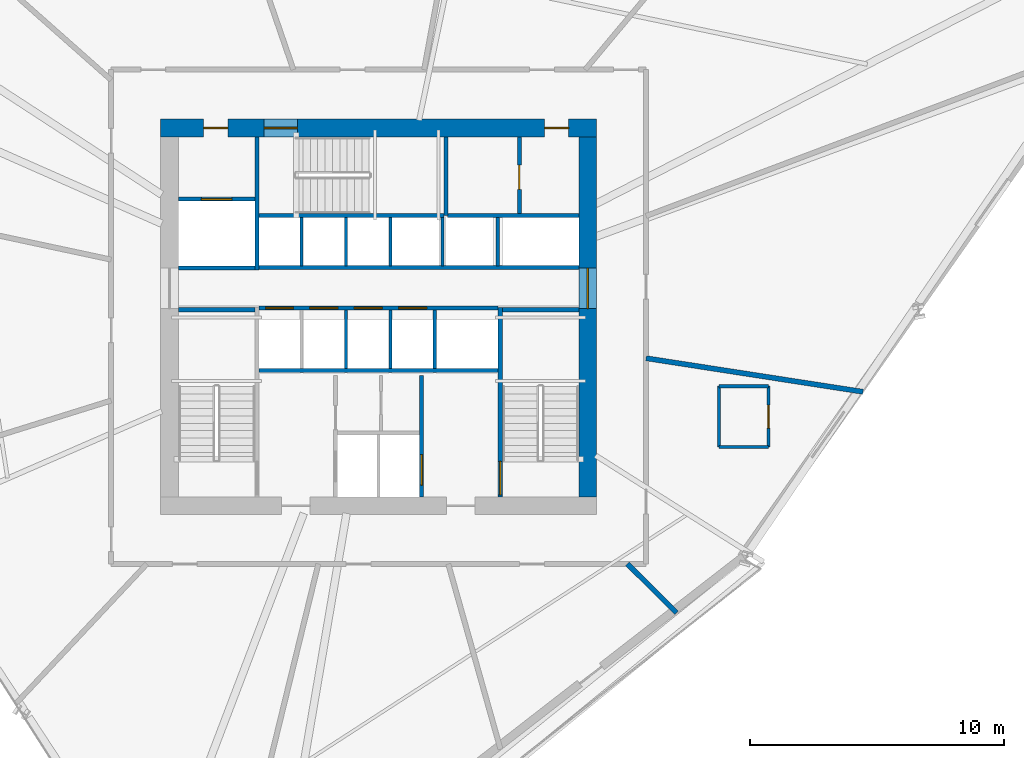
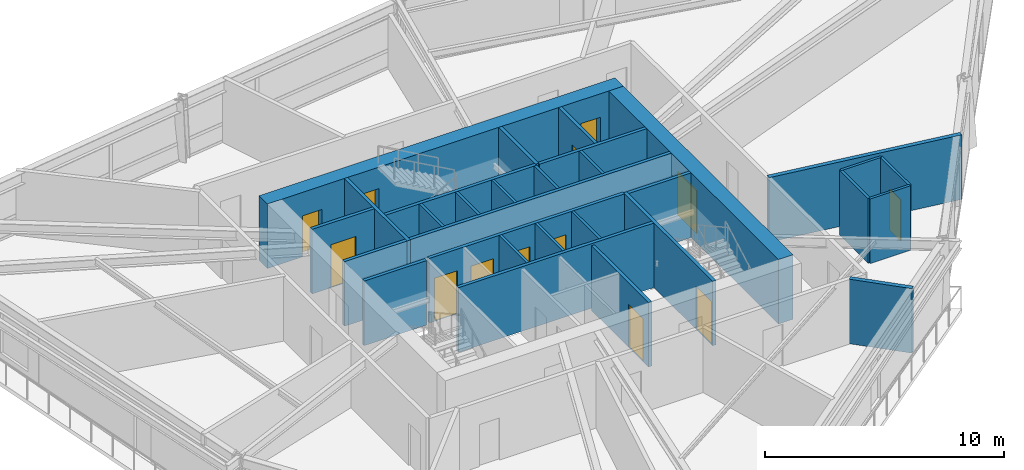
# One storey, part 12 of 16: 30 walls, 13 doors, 13 openings.
"""IFC4 building model written with IfcOpenShell, lengths in metres."""

from ifc_helpers import new_model, si_unit, direction, frame, frame_2d, origin, place, context, subcontext, project, spatial, rectangle, extrude, source, transform, mapped, material, layer, layer_set, type_object, type_shapes, element, fill, save


model = new_model("IFC4")

# Units and contexts
model_context = context("Model", 3, precision=1e-05, world=origin(), true_north=direction((0.0, 1.0)))
body_context = subcontext(model_context, "Body", "Model", "MODEL_VIEW")
ifc_project = project(units=[si_unit("LENGTHUNIT", "METRE"), si_unit("AREAUNIT", "SQUARE_METRE"), si_unit("VOLUMEUNIT", "CUBIC_METRE"), si_unit("PLANEANGLEUNIT", "RADIAN"), si_unit("MASSUNIT", "GRAM", prefix="KILO")], contexts=[model_context])

# Site, building, storey
site_placement = place(None, origin())
site = spatial("IfcSite", under=ifc_project, at=site_placement, CompositionType="ELEMENT")
building_placement = place(site_placement, origin())
building = spatial("IfcBuilding", under=site, at=building_placement, Name="Olszyna Solenne Hotel", CompositionType="ELEMENT")
storey_placement = place(building_placement, frame((0.0, 0.0, 127.0)))
storey = spatial("IfcBuildingStorey", under=building, at=storey_placement, Name="L33", CompositionType="ELEMENT", Elevation=127.0)

# Wall, openings, doors
ifc_material_1 = material(Name="Concrete C60/75", Category="concrete")
ifc_layer_1 = layer(ifc_material_1, 0.699951171875, Name="Concrete C60/75")
ifc_layer_set_1 = layer_set([ifc_layer_1], Name="Concrete C60/75")
wall_type_1 = type_object("IfcWallType", Name="WL-CR700", PredefinedType="SHEAR", material=ifc_layer_set_1)
wall_1_placement = place(storey_placement, frame((29.39990234375, 34.050048828125, 0.0), z_axis=(0.0, 0.0, 1.0), x_axis=(1.0, 0.0, 0.0)))
wall_1 = element("IfcWall", 1, at=wall_1_placement, inside=storey, type_object=wall_type_1, Name="Core shear wall WL-CR700 CRW-L33-N", PredefinedType="SHEAR", context=body_context, shape_type="SweptSolid", body=[
    extrude(rectangle(XDim=17.2001953125, YDim=0.699951171875, at=frame_2d((8.60009765625, 0.0))), origin(), (0.0, 0.0, 1.0), 3.300048828125),
])
opening_1_placement = place(wall_1_placement, frame((1.699951171875, 0.0, 0.0)))
opening_1 = element("IfcOpeningElement", 2, at=opening_1_placement, cuts=wall_1, Name="Opening SVD-L33-01", PredefinedType="OPENING", context=body_context, shape_type="SweptSolid", body=[
    extrude(rectangle(XDim=0.949951171875, YDim=2.10009765625, at=frame_2d((0.47509765625, 1.050048828125))), frame((0.0, 0.35986328125, 0.0), z_axis=(0.0, -1.0, 0.0), x_axis=(1.0, 0.0, 0.0)), (0.0, 0.0, 1.0), 0.719970703125),
])
opening_2_placement = place(wall_1_placement, frame((4.080078125, 0.0, 0.0)))
opening_2 = element("IfcOpeningElement", 3, at=opening_2_placement, cuts=wall_1, Name="Opening STD-L33-03", PredefinedType="OPENING", context=body_context, shape_type="SweptSolid", body=[
    extrude(rectangle(XDim=1.320068359375, YDim=2.199951171875, at=frame_2d((0.66015625, 1.10009765625))), frame((0.0, 0.35986328125, 0.0), z_axis=(0.0, -1.0, 0.0), x_axis=(1.0, 0.0, 0.0)), (0.0, 0.0, 1.0), 0.719970703125),
])
opening_3_placement = place(wall_1_placement, frame((15.14990234375, 0.0, 0.0)))
opening_3 = element("IfcOpeningElement", 4, at=opening_3_placement, cuts=wall_1, Name="Opening SVD-L33-BN", PredefinedType="OPENING", context=body_context, shape_type="SweptSolid", body=[
    extrude(rectangle(XDim=0.949951171875, YDim=2.10009765625, at=frame_2d((0.47509765625, 1.050048828125))), frame((0.0, 0.35986328125, 0.0), z_axis=(0.0, -1.0, 0.0), x_axis=(1.0, 0.0, 0.0)), (0.0, 0.0, 1.0), 0.719970703125),
])
ifc_material_2 = material(Name="Steel S355J2", Category="steel")
door_type_1 = type_object("IfcDoorType", Name="DR-ST1", OperationType="NOTDEFINED", PredefinedType="DOOR", material=ifc_material_2)
shared_shape_1 = source(origin(), body_context, "Body", "SweptSolid", [
    extrude(rectangle(XDim=1.320068359375, YDim=2.199951171875, at=frame_2d((0.66015625, 1.10009765625))), frame((0.0, 0.02490234375, 0.0), z_axis=(0.0, -1.0, 0.0), x_axis=(1.0, 0.0, 0.0)), (0.0, 0.0, 1.0), 0.050048828125),
])
type_shapes(door_type_1, [shared_shape_1])
door_1_placement = place(opening_2_placement, origin())
door_1 = element("IfcDoor", 5, at=door_1_placement, inside=storey, type_object=door_type_1, Name="Pressurised exit stair ST3 fire door STD-L33-03", OperationType="SINGLE_SWING_RIGHT", OverallHeight=2.199951171875, OverallWidth=1.320068359375, PredefinedType="DOOR", context=body_context, shape_type="MappedRepresentation", body=[
    mapped(shared_shape_1, transform((0.0, 0.0, 0.0), x_axis=(1.0, 0.0, 0.0), y_axis=(0.0, 1.0, 0.0), z_axis=(0.0, 0.0, 1.0), scale=1.0)),
])
fill(opening_2, door_1)
door_type_2 = type_object("IfcDoorType", Name="DR-SV1", OperationType="NOTDEFINED", PredefinedType="DOOR", material=ifc_material_2)
shared_shape_2 = source(origin(), body_context, "Body", "SweptSolid", [
    extrude(rectangle(XDim=0.949951171875, YDim=2.10009765625, at=frame_2d((0.47509765625, 1.050048828125))), frame((0.0, 0.02490234375, 0.0), z_axis=(0.0, -1.0, 0.0), x_axis=(1.0, 0.0, 0.0)), (0.0, 0.0, 1.0), 0.050048828125),
])
type_shapes(door_type_2, [shared_shape_2])
door_2_placement = place(opening_1_placement, origin())
door_2 = element("IfcDoor", 6, at=door_2_placement, inside=storey, type_object=door_type_2, Name="Service lift lobby fire door SVD-L33-01", OperationType="SINGLE_SWING_LEFT", OverallHeight=2.10009765625, OverallWidth=0.949951171875, PredefinedType="DOOR", context=body_context, shape_type="MappedRepresentation", body=[
    mapped(shared_shape_2, transform((0.0, 0.0, 0.0), x_axis=(1.0, 0.0, 0.0), y_axis=(0.0, 1.0, 0.0), z_axis=(0.0, 0.0, 1.0), scale=1.0)),
])
fill(opening_1, door_2)
door_3_placement = place(opening_3_placement, origin())
door_3 = element("IfcDoor", 7, at=door_3_placement, inside=storey, type_object=door_type_2, Name="Housekeeping core fire door SVD-L33-BN", OperationType="SINGLE_SWING_LEFT", OverallHeight=2.10009765625, OverallWidth=0.949951171875, PredefinedType="DOOR", context=body_context, shape_type="MappedRepresentation", body=[
    mapped(shared_shape_2, transform((0.0, 0.0, 0.0), x_axis=(1.0, 0.0, 0.0), y_axis=(0.0, 1.0, 0.0), z_axis=(0.0, 0.0, 1.0), scale=1.0)),
])
fill(opening_3, door_3)

# Wall, opening, door
wall_2_placement = place(storey_placement, frame((46.25, 33.699951171875, 0.0), z_axis=(0.0, 0.0, 1.0), x_axis=(0.0, -1.0, 0.0)))
wall_2 = element("IfcWall", 8, at=wall_2_placement, inside=storey, type_object=wall_type_1, Name="Core shear wall WL-CR700 CRW-L33-E", PredefinedType="SHEAR", context=body_context, shape_type="SweptSolid", body=[
    extrude(rectangle(XDim=14.199951171875, YDim=0.699951171875, at=frame_2d((7.10009765625, 0.0))), origin(), (0.0, 0.0, 1.0), 3.300048828125),
])
opening_4_placement = place(wall_2_placement, frame((5.179931640625, 0.0, 0.0)))
opening_4 = element("IfcOpeningElement", 9, at=opening_4_placement, cuts=wall_2, Name="Opening LHD-L33-E", PredefinedType="OPENING", context=body_context, shape_type="SweptSolid", body=[
    extrude(rectangle(XDim=1.60009765625, YDim=2.199951171875, at=frame_2d((0.800048828125, 1.10009765625))), frame((0.0, 0.35986328125, 0.0), z_axis=(0.0, -1.0, 0.0), x_axis=(1.0, 0.0, 0.0)), (0.0, 0.0, 1.0), 0.719970703125),
])
ifc_material_3 = material(Name="Timber hardwood", Category="wood")
door_type_3 = type_object("IfcDoorType", Name="DR-CR1", OperationType="DOUBLE_DOOR_SINGLE_SWING", PredefinedType="DOOR", material=ifc_material_3)
shared_shape_3 = source(origin(), body_context, "Body", "SweptSolid", [
    extrude(rectangle(XDim=1.60009765625, YDim=2.199951171875, at=frame_2d((0.800048828125, 1.10009765625))), frame((0.0, 0.02490234375, 0.0), z_axis=(0.0, -1.0, 0.0), x_axis=(1.0, 0.0, 0.0)), (0.0, 0.0, 1.0), 0.050048828125),
])
type_shapes(door_type_3, [shared_shape_3])
door_4_placement = place(opening_4_placement, origin())
door_4 = element("IfcDoor", 10, at=door_4_placement, inside=storey, type_object=door_type_3, Name="Passenger lift lobby East fire door LHD-L33-E", OperationType="DOUBLE_DOOR_SINGLE_SWING", OverallHeight=2.199951171875, OverallWidth=1.60009765625, PredefinedType="DOOR", context=body_context, shape_type="MappedRepresentation", body=[
    mapped(shared_shape_3, transform((0.0, 0.0, 0.0), x_axis=(1.0, 0.0, 0.0), y_axis=(0.0, 1.0, 0.0), z_axis=(0.0, 0.0, 1.0), scale=1.0)),
])
fill(opening_4, door_4)

# Walls
ifc_material_4 = material(Name="Acoustic gypsum partition", Category="gypsum")
ifc_layer_2 = layer(ifc_material_4, 0.125, Name="Acoustic gypsum partition")
ifc_layer_set_2 = layer_set([ifc_layer_2], Name="Acoustic gypsum partition")
wall_type_2 = type_object("IfcWallType", Name="WL-PT125", PredefinedType="PARTITIONING", material=ifc_layer_set_2)
for number, where, z_axis, x_axis, name in (
    (11, (36.715087890625, 24.56005859375, 0.0), (0.0, 0.0, 1.0), (0.0, 1.0, 0.0), "Core shaft compartment wall CW-L33-DIVS367"),
    (12, (38.465087890625, 24.56005859375, 0.0), (0.0, 0.0, 1.0), (0.0, 1.0, 0.0), "Core shaft compartment wall CW-L33-DIVS384"),
    (13, (40.215087890625, 24.56005859375, 0.0), (0.0, 0.0, 1.0), (0.0, 1.0, 0.0), "Core shaft compartment wall CW-L33-DIVS402"),
):
    element("IfcWall", number, at=place(storey_placement, frame(where, z_axis=z_axis, x_axis=x_axis)), inside=storey, type_object=wall_type_2, Name=name, PredefinedType="PARTITIONING", context=body_context, shape_type="SweptSolid", body=[
        extrude(rectangle(XDim=2.31005859375, YDim=0.125, at=frame_2d((1.155029296875, 0.0))), origin(), (0.0, 0.0, 1.0), 3.300048828125),
    ])
for number, where, z_axis, x_axis, name in (
    (14, (34.965087890625, 28.60009765625, 0.0), (0.0, 0.0, 1.0), (0.0, 1.0, 0.0), "Core shaft compartment wall CW-L33-DIVN349"),
    (15, (36.715087890625, 28.60009765625, 0.0), (0.0, 0.0, 1.0), (0.0, 1.0, 0.0), "Core shaft compartment wall CW-L33-DIVN367"),
    (16, (38.465087890625, 28.60009765625, 0.0), (0.0, 0.0, 1.0), (0.0, 1.0, 0.0), "Core shaft compartment wall CW-L33-DIVN384"),
    (17, (40.52490234375, 28.60009765625, 0.0), (0.0, 0.0, 1.0), (0.0, 1.0, 0.0), "Core shaft compartment wall CW-L33-DIVEX405"),
    (18, (42.699951171875, 28.60009765625, 0.0), (0.0, 0.0, 1.0), (0.0, 1.0, 0.0), "Core shaft compartment wall CW-L33-DIVEX427"),
):
    element("IfcWall", number, at=place(storey_placement, frame(where, z_axis=z_axis, x_axis=x_axis)), inside=storey, type_object=wall_type_2, Name=name, PredefinedType="PARTITIONING", context=body_context, shape_type="SweptSolid", body=[
        extrude(rectangle(XDim=1.919921875, YDim=0.125, at=frame_2d((0.9599609375, 0.0))), origin(), (0.0, 0.0, 1.0), 3.300048828125),
    ])

# Wall, opening, door
wall_3_placement = place(storey_placement, frame((53.3798828125, 21.462890625, 0.0), z_axis=(0.0, 0.0, 1.0), x_axis=(0.0, 1.0, 0.0)))
wall_3 = element("IfcWall", 19, at=wall_3_placement, inside=storey, type_object=wall_type_2, Name="Interior acoustic partition WL-PT125 PW-L33-1925", PredefinedType="PARTITIONING", context=body_context, shape_type="SweptSolid", body=[
    extrude(rectangle(XDim=2.400146484375, YDim=0.125, at=frame_2d((1.2001953125, 0.0))), origin(), (0.0, 0.0, 1.0), 3.300048828125),
])
opening_5_placement = place(wall_3_placement, frame((0.75, 0.0, 0.0)))
opening_5 = element("IfcOpeningElement", 20, at=opening_5_placement, cuts=wall_3, Name="Opening DR-L33-0458", PredefinedType="OPENING", context=body_context, shape_type="SweptSolid", body=[
    extrude(rectangle(XDim=0.89990234375, YDim=2.10009765625, at=frame_2d((0.449951171875, 1.050048828125))), frame((0.0, 0.072509765625, 0.0), z_axis=(0.0, -1.0, 0.0), x_axis=(1.0, 0.0, 0.0)), (0.0, 0.0, 1.0), 0.14501953125),
])
door_type_4 = type_object("IfcDoorType", Name="DR-WC1", OperationType="NOTDEFINED", PredefinedType="DOOR", material=ifc_material_3)
shared_shape_4 = source(origin(), body_context, "Body", "SweptSolid", [
    extrude(rectangle(XDim=0.89990234375, YDim=2.10009765625, at=frame_2d((0.449951171875, 1.050048828125))), frame((0.0, 0.02490234375, 0.0), z_axis=(0.0, -1.0, 0.0), x_axis=(1.0, 0.0, 0.0)), (0.0, 0.0, 1.0), 0.050048828125),
])
type_shapes(door_type_4, [shared_shape_4])
door_5_placement = place(opening_5_placement, origin())
door_5 = element("IfcDoor", 21, at=door_5_placement, inside=storey, type_object=door_type_4, Name="En-Suite Bathroom Door DR-L33-0458", OperationType="SINGLE_SWING_RIGHT", OverallHeight=2.10009765625, OverallWidth=0.89990234375, PredefinedType="DOOR", context=body_context, shape_type="MappedRepresentation", body=[
    mapped(shared_shape_4, transform((0.0, 0.0, 0.0), x_axis=(1.0, 0.0, 0.0), y_axis=(0.0, 1.0, 0.0), z_axis=(0.0, 0.0, 1.0), scale=1.0)),
])
fill(opening_5, door_5)

# Walls
wall_4_placement = place(storey_placement, frame((53.3798828125, 23.863037109375, 0.0), z_axis=(0.0, 0.0, 1.0), x_axis=(-1.0, 0.0, 0.0)))
element("IfcWall", 22, at=wall_4_placement, inside=storey, type_object=wall_type_2, Name="Interior acoustic partition WL-PT125 PW-L33-1926", PredefinedType="PARTITIONING", context=body_context, shape_type="SweptSolid", body=[
    extrude(rectangle(XDim=1.949951171875, YDim=0.125, at=frame_2d((0.97509765625, 0.0))), origin(), (0.0, 0.0, 1.0), 3.300048828125),
])
wall_5_placement = place(storey_placement, frame((51.429931640625, 23.863037109375, 0.0), z_axis=(0.0, 0.0, 1.0), x_axis=(0.0, -1.0, 0.0)))
element("IfcWall", 23, at=wall_5_placement, inside=storey, type_object=wall_type_2, Name="Interior acoustic partition WL-PT125 PW-L33-1927", PredefinedType="PARTITIONING", context=body_context, shape_type="SweptSolid", body=[
    extrude(rectangle(XDim=2.400146484375, YDim=0.125, at=frame_2d((1.2001953125, 0.0))), origin(), (0.0, 0.0, 1.0), 3.300048828125),
])
wall_6_placement = place(storey_placement, frame((51.429931640625, 21.462890625, 0.0), z_axis=(0.0, 0.0, 1.0), x_axis=(1.0, 0.0, 0.0)))
element("IfcWall", 24, at=wall_6_placement, inside=storey, type_object=wall_type_2, Name="Interior acoustic partition WL-PT125 PW-L33-1928", PredefinedType="PARTITIONING", context=body_context, shape_type="SweptSolid", body=[
    extrude(rectangle(XDim=1.949951171875, YDim=0.125, at=frame_2d((0.97509765625, 0.0))), origin(), (0.0, 0.0, 1.0), 3.300048828125),
])
ifc_layer_3 = layer(ifc_material_4, 0.159912109375, Name="Acoustic gypsum partition")
ifc_layer_set_3 = layer_set([ifc_layer_3], Name="Acoustic gypsum partition")
wall_type_3 = type_object("IfcWallType", Name="WL-PT160", PredefinedType="PARTITIONING", material=ifc_layer_set_3)
wall_7_placement = place(storey_placement, frame((30.10009765625, 26.8798828125, 0.0), z_axis=(0.0, 0.0, 1.0), x_axis=(1.0, 0.0, 0.0)))
element("IfcWall", 25, at=wall_7_placement, inside=storey, type_object=wall_type_3, Name="Core shaft compartment wall CW-L33-ST1N", PredefinedType="PARTITIONING", context=body_context, shape_type="SweptSolid", body=[
    extrude(rectangle(XDim=3.02001953125, YDim=0.159912109375, at=frame_2d((1.510009765625, 0.0))), origin(), (0.0, 0.0, 1.0), 3.300048828125),
])

# Wall, opening, door
wall_8_placement = place(storey_placement, frame((42.800048828125, 26.9599609375, 0.0), z_axis=(0.0, 0.0, 1.0), x_axis=(0.0, -1.0, 0.0)))
wall_8 = element("IfcWall", 26, at=wall_8_placement, inside=storey, type_object=wall_type_3, Name="Core shaft compartment wall CW-L33-ST2W", PredefinedType="PARTITIONING", context=body_context, shape_type="SweptSolid", body=[
    extrude(rectangle(XDim=7.4599609375, YDim=0.159912109375, at=frame_2d((3.72998046875, 0.0))), origin(), (0.0, 0.0, 1.0), 3.300048828125),
])
opening_6_placement = place(wall_8_placement, frame((6.06005859375, 0.0, 0.0)))
opening_6 = element("IfcOpeningElement", 27, at=opening_6_placement, cuts=wall_8, Name="Opening STD-L33-02", PredefinedType="OPENING", context=body_context, shape_type="SweptSolid", body=[
    extrude(rectangle(XDim=1.320068359375, YDim=2.199951171875, at=frame_2d((0.66015625, 1.10009765625))), frame((0.0, 0.08984375, 0.0), z_axis=(0.0, -1.0, 0.0), x_axis=(1.0, 0.0, 0.0)), (0.0, 0.0, 1.0), 0.179931640625),
])
door_6_placement = place(opening_6_placement, origin())
door_6 = element("IfcDoor", 28, at=door_6_placement, inside=storey, type_object=door_type_1, Name="Pressurised exit stair ST2 fire door STD-L33-02", OperationType="SINGLE_SWING_RIGHT", OverallHeight=2.199951171875, OverallWidth=1.320068359375, PredefinedType="DOOR", context=body_context, shape_type="MappedRepresentation", body=[
    mapped(shared_shape_1, transform((0.0, 0.0, 0.0), x_axis=(1.0, 0.0, 0.0), y_axis=(0.0, 1.0, 0.0), z_axis=(0.0, 0.0, 1.0), scale=1.0)),
])
fill(opening_6, door_6)

# Walls
wall_9_placement = place(storey_placement, frame((42.8798828125, 26.8798828125, 0.0), z_axis=(0.0, 0.0, 1.0), x_axis=(1.0, 0.0, 0.0)))
element("IfcWall", 29, at=wall_9_placement, inside=storey, type_object=wall_type_3, Name="Core shaft compartment wall CW-L33-ST2N", PredefinedType="PARTITIONING", context=body_context, shape_type="SweptSolid", body=[
    extrude(rectangle(XDim=3.02001953125, YDim=0.159912109375, at=frame_2d((1.510009765625, 0.0))), origin(), (0.0, 0.0, 1.0), 3.300048828125),
])
wall_10_placement = place(storey_placement, frame((33.280029296875, 30.60009765625, 0.0), z_axis=(0.0, 0.0, 1.0), x_axis=(1.0, 0.0, 0.0)))
element("IfcWall", 30, at=wall_10_placement, inside=storey, type_object=wall_type_3, Name="Core shaft compartment wall CW-L33-ST3S", PredefinedType="PARTITIONING", context=body_context, shape_type="SweptSolid", body=[
    extrude(rectangle(XDim=7.300048828125, YDim=0.159912109375, at=frame_2d((3.64990234375, 0.0))), origin(), (0.0, 0.0, 1.0), 3.300048828125),
])
wall_11_placement = place(storey_placement, frame((40.659912109375, 30.60009765625, 0.0), z_axis=(0.0, 0.0, 1.0), x_axis=(0.0, 1.0, 0.0)))
element("IfcWall", 31, at=wall_11_placement, inside=storey, type_object=wall_type_3, Name="Core shaft compartment wall CW-L33-ST3E", PredefinedType="PARTITIONING", context=body_context, shape_type="SweptSolid", body=[
    extrude(rectangle(XDim=3.099853515625, YDim=0.159912109375, at=frame_2d((1.5498046875, 0.0))), origin(), (0.0, 0.0, 1.0), 3.300048828125),
])

# Wall, opening, door
wall_12_placement = place(storey_placement, frame((39.699951171875, 24.280029296875, 0.0), z_axis=(0.0, 0.0, 1.0), x_axis=(0.0, -1.0, 0.0)))
wall_12 = element("IfcWall", 32, at=wall_12_placement, inside=storey, type_object=wall_type_3, Name="Core shaft compartment wall CW-L33-FF2E", PredefinedType="PARTITIONING", context=body_context, shape_type="SweptSolid", body=[
    extrude(rectangle(XDim=4.780029296875, YDim=0.159912109375, at=frame_2d((2.39013671875, 0.0))), origin(), (0.0, 0.0, 1.0), 3.300048828125),
])
opening_7_placement = place(wall_12_placement, frame((3.1201171875, 0.0, 0.0)))
opening_7 = element("IfcOpeningElement", 33, at=opening_7_placement, cuts=wall_12, Name="Opening LD-L33-FF2", PredefinedType="OPENING", context=body_context, shape_type="SweptSolid", body=[
    extrude(rectangle(XDim=1.199951171875, YDim=2.199951171875, at=frame_2d((0.60009765625, 1.10009765625))), frame((0.0, 0.08984375, 0.0), z_axis=(0.0, -1.0, 0.0), x_axis=(1.0, 0.0, 0.0)), (0.0, 0.0, 1.0), 0.179931640625),
])
door_type_5 = type_object("IfcDoorType", Name="LD-FF1", OperationType="DOUBLE_DOOR_SLIDING", PredefinedType="DOOR", material=ifc_material_2)
shared_shape_5 = source(origin(), body_context, "Body", "SweptSolid", [
    extrude(rectangle(XDim=1.199951171875, YDim=2.199951171875, at=frame_2d((0.60009765625, 1.10009765625))), frame((0.0, 0.02490234375, 0.0), z_axis=(0.0, -1.0, 0.0), x_axis=(1.0, 0.0, 0.0)), (0.0, 0.0, 1.0), 0.050048828125),
])
type_shapes(door_type_5, [shared_shape_5])
door_7_placement = place(opening_7_placement, origin())
door_7 = element("IfcDoor", 34, at=door_7_placement, inside=storey, type_object=door_type_5, Name="Firefighters lift FF2 sliding landing door LD-L33-FF2", OperationType="DOUBLE_DOOR_SLIDING", OverallHeight=2.199951171875, OverallWidth=1.199951171875, PredefinedType="DOOR", context=body_context, shape_type="MappedRepresentation", body=[
    mapped(shared_shape_5, transform((0.0, 0.0, 0.0), x_axis=(1.0, 0.0, 0.0), y_axis=(0.0, 1.0, 0.0), z_axis=(0.0, 0.0, 1.0), scale=1.0)),
])
fill(opening_7, door_7)

# Walls
wall_13_placement = place(storey_placement, frame((33.280029296875, 24.489990234375, 0.0), z_axis=(0.0, 0.0, 1.0), x_axis=(1.0, 0.0, 0.0)))
element("IfcWall", 35, at=wall_13_placement, inside=storey, type_object=wall_type_3, Name="Core shaft compartment wall CW-L33-FFBN", PredefinedType="PARTITIONING", context=body_context, shape_type="SweptSolid", body=[
    extrude(rectangle(XDim=9.43994140625, YDim=0.159912109375, at=frame_2d((4.719970703125, 0.0))), origin(), (0.0, 0.0, 1.0), 3.300048828125),
])
wall_14_placement = place(storey_placement, frame((30.10009765625, 28.52001953125, 0.0), z_axis=(0.0, 0.0, 1.0), x_axis=(1.0, 0.0, 0.0)))
element("IfcWall", 36, at=wall_14_placement, inside=storey, type_object=wall_type_3, Name="Core shaft compartment wall CW-L33-SV1S", PredefinedType="PARTITIONING", context=body_context, shape_type="SweptSolid", body=[
    extrude(rectangle(XDim=3.02001953125, YDim=0.159912109375, at=frame_2d((1.510009765625, 0.0))), origin(), (0.0, 0.0, 1.0), 3.300048828125),
])
wall_15_placement = place(storey_placement, frame((33.199951171875, 28.43994140625, 0.0), z_axis=(0.0, 0.0, 1.0), x_axis=(0.0, 1.0, 0.0)))
element("IfcWall", 37, at=wall_15_placement, inside=storey, type_object=wall_type_3, Name="Core shaft compartment wall CW-L33-SV1E", PredefinedType="PARTITIONING", context=body_context, shape_type="SweptSolid", body=[
    extrude(rectangle(XDim=5.260009765625, YDim=0.159912109375, at=frame_2d((2.6298828125, 0.0))), origin(), (0.0, 0.0, 1.0), 3.300048828125),
])

# Wall, opening, door
wall_16_placement = place(storey_placement, frame((30.10009765625, 31.239990234375, 0.0), z_axis=(0.0, 0.0, 1.0), x_axis=(1.0, 0.0, 0.0)))
wall_16 = element("IfcWall", 38, at=wall_16_placement, inside=storey, type_object=wall_type_3, Name="Core shaft compartment wall CW-L33-SV1N", PredefinedType="PARTITIONING", context=body_context, shape_type="SweptSolid", body=[
    extrude(rectangle(XDim=3.02001953125, YDim=0.159912109375, at=frame_2d((1.510009765625, 0.0))), origin(), (0.0, 0.0, 1.0), 3.300048828125),
])
opening_8_placement = place(wall_16_placement, frame((0.909912109375, 0.0, 0.0)))
opening_8 = element("IfcOpeningElement", 39, at=opening_8_placement, cuts=wall_16, Name="Opening LD-L33-SV1", PredefinedType="OPENING", context=body_context, shape_type="SweptSolid", body=[
    extrude(rectangle(XDim=1.199951171875, YDim=2.199951171875, at=frame_2d((0.60009765625, 1.10009765625))), frame((0.0, 0.08984375, 0.0), z_axis=(0.0, -1.0, 0.0), x_axis=(1.0, 0.0, 0.0)), (0.0, 0.0, 1.0), 0.179931640625),
])
door_8_placement = place(opening_8_placement, origin())
door_8 = element("IfcDoor", 40, at=door_8_placement, inside=storey, type_object=door_type_5, Name="Service lift SV1 sliding landing door LD-L33-SV1", OperationType="DOUBLE_DOOR_SLIDING", OverallHeight=2.199951171875, OverallWidth=1.199951171875, PredefinedType="DOOR", context=body_context, shape_type="MappedRepresentation", body=[
    mapped(shared_shape_5, transform((0.0, 0.0, 0.0), x_axis=(1.0, 0.0, 0.0), y_axis=(0.0, 1.0, 0.0), z_axis=(0.0, 0.0, 1.0), scale=1.0)),
])
fill(opening_8, door_8)

# Wall, openings, doors
wall_17_placement = place(storey_placement, frame((33.280029296875, 26.949951171875, 0.0), z_axis=(0.0, 0.0, 1.0), x_axis=(1.0, 0.0, 0.0)))
wall_17 = element("IfcWall", 41, at=wall_17_placement, inside=storey, type_object=wall_type_3, Name="Core shaft compartment wall CW-L33-LRS", PredefinedType="PARTITIONING", context=body_context, shape_type="SweptSolid", body=[
    extrude(rectangle(XDim=9.43994140625, YDim=0.159912109375, at=frame_2d((4.719970703125, 0.0))), origin(), (0.0, 0.0, 1.0), 3.300048828125),
])
opening_9_placement = place(wall_17_placement, frame((0.260009765625, 0.0, 0.0)))
opening_9 = element("IfcOpeningElement", 42, at=opening_9_placement, cuts=wall_17, Name="Opening LD-L33-PL1", PredefinedType="OPENING", context=body_context, shape_type="SweptSolid", body=[
    extrude(rectangle(XDim=1.10009765625, YDim=2.199951171875, at=frame_2d((0.550048828125, 1.10009765625))), frame((0.0, 0.08984375, 0.0), z_axis=(0.0, -1.0, 0.0), x_axis=(1.0, 0.0, 0.0)), (0.0, 0.0, 1.0), 0.179931640625),
])
opening_10_placement = place(wall_17_placement, frame((2.010009765625, 0.0, 0.0)))
opening_10 = element("IfcOpeningElement", 43, at=opening_10_placement, cuts=wall_17, Name="Opening LD-L33-PL2", PredefinedType="OPENING", context=body_context, shape_type="SweptSolid", body=[
    extrude(rectangle(XDim=1.10009765625, YDim=2.199951171875, at=frame_2d((0.550048828125, 1.10009765625))), frame((0.0, 0.08984375, 0.0), z_axis=(0.0, -1.0, 0.0), x_axis=(1.0, 0.0, 0.0)), (0.0, 0.0, 1.0), 0.179931640625),
])
opening_11_placement = place(wall_17_placement, frame((3.760009765625, 0.0, 0.0)))
opening_11 = element("IfcOpeningElement", 44, at=opening_11_placement, cuts=wall_17, Name="Opening LD-L33-PL3", PredefinedType="OPENING", context=body_context, shape_type="SweptSolid", body=[
    extrude(rectangle(XDim=1.10009765625, YDim=2.199951171875, at=frame_2d((0.550048828125, 1.10009765625))), frame((0.0, 0.08984375, 0.0), z_axis=(0.0, -1.0, 0.0), x_axis=(1.0, 0.0, 0.0)), (0.0, 0.0, 1.0), 0.179931640625),
])
opening_12_placement = place(wall_17_placement, frame((5.510009765625, 0.0, 0.0)))
opening_12 = element("IfcOpeningElement", 45, at=opening_12_placement, cuts=wall_17, Name="Opening LD-L33-PL4", PredefinedType="OPENING", context=body_context, shape_type="SweptSolid", body=[
    extrude(rectangle(XDim=1.10009765625, YDim=2.199951171875, at=frame_2d((0.550048828125, 1.10009765625))), frame((0.0, 0.08984375, 0.0), z_axis=(0.0, -1.0, 0.0), x_axis=(1.0, 0.0, 0.0)), (0.0, 0.0, 1.0), 0.179931640625),
])
door_type_6 = type_object("IfcDoorType", Name="LD-P1", OperationType="DOUBLE_DOOR_SLIDING", PredefinedType="DOOR", material=ifc_material_2)
shared_shape_6 = source(origin(), body_context, "Body", "SweptSolid", [
    extrude(rectangle(XDim=1.10009765625, YDim=2.199951171875, at=frame_2d((0.550048828125, 1.10009765625))), frame((0.0, 0.02490234375, 0.0), z_axis=(0.0, -1.0, 0.0), x_axis=(1.0, 0.0, 0.0)), (0.0, 0.0, 1.0), 0.050048828125),
])
type_shapes(door_type_6, [shared_shape_6])
door_9_placement = place(opening_9_placement, origin())
door_9 = element("IfcDoor", 46, at=door_9_placement, inside=storey, type_object=door_type_6, Name="Passenger lift PL1 sliding landing door LD-L33-PL1", OperationType="DOUBLE_DOOR_SLIDING", OverallHeight=2.199951171875, OverallWidth=1.10009765625, PredefinedType="DOOR", context=body_context, shape_type="MappedRepresentation", body=[
    mapped(shared_shape_6, transform((0.0, 0.0, 0.0), x_axis=(1.0, 0.0, 0.0), y_axis=(0.0, 1.0, 0.0), z_axis=(0.0, 0.0, 1.0), scale=1.0)),
])
fill(opening_9, door_9)
door_10_placement = place(opening_10_placement, origin())
door_10 = element("IfcDoor", 47, at=door_10_placement, inside=storey, type_object=door_type_6, Name="Passenger lift PL2 sliding landing door LD-L33-PL2", OperationType="DOUBLE_DOOR_SLIDING", OverallHeight=2.199951171875, OverallWidth=1.10009765625, PredefinedType="DOOR", context=body_context, shape_type="MappedRepresentation", body=[
    mapped(shared_shape_6, transform((0.0, 0.0, 0.0), x_axis=(1.0, 0.0, 0.0), y_axis=(0.0, 1.0, 0.0), z_axis=(0.0, 0.0, 1.0), scale=1.0)),
])
fill(opening_10, door_10)
door_11_placement = place(opening_11_placement, origin())
door_11 = element("IfcDoor", 48, at=door_11_placement, inside=storey, type_object=door_type_6, Name="Passenger lift PL3 sliding landing door LD-L33-PL3", OperationType="DOUBLE_DOOR_SLIDING", OverallHeight=2.199951171875, OverallWidth=1.10009765625, PredefinedType="DOOR", context=body_context, shape_type="MappedRepresentation", body=[
    mapped(shared_shape_6, transform((0.0, 0.0, 0.0), x_axis=(1.0, 0.0, 0.0), y_axis=(0.0, 1.0, 0.0), z_axis=(0.0, 0.0, 1.0), scale=1.0)),
])
fill(opening_11, door_11)
door_12_placement = place(opening_12_placement, origin())
door_12 = element("IfcDoor", 49, at=door_12_placement, inside=storey, type_object=door_type_6, Name="Passenger lift PL4 sliding landing door LD-L33-PL4", OperationType="DOUBLE_DOOR_SLIDING", OverallHeight=2.199951171875, OverallWidth=1.10009765625, PredefinedType="DOOR", context=body_context, shape_type="MappedRepresentation", body=[
    mapped(shared_shape_6, transform((0.0, 0.0, 0.0), x_axis=(1.0, 0.0, 0.0), y_axis=(0.0, 1.0, 0.0), z_axis=(0.0, 0.0, 1.0), scale=1.0)),
])
fill(opening_12, door_12)

# Walls
wall_18_placement = place(storey_placement, frame((33.280029296875, 28.5400390625, 0.0), z_axis=(0.0, 0.0, 1.0), x_axis=(1.0, 0.0, 0.0)))
element("IfcWall", 50, at=wall_18_placement, inside=storey, type_object=wall_type_3, Name="Core shaft compartment wall CW-L33-LRN", PredefinedType="PARTITIONING", context=body_context, shape_type="SweptSolid", body=[
    extrude(rectangle(XDim=12.619873046875, YDim=0.159912109375, at=frame_2d((6.31005859375, 0.0))), origin(), (0.0, 0.0, 1.0), 3.300048828125),
])
wall_19_placement = place(storey_placement, frame((40.719970703125, 30.60009765625, 0.0), z_axis=(0.0, 0.0, 1.0), x_axis=(1.0, 0.0, 0.0)))
element("IfcWall", 51, at=wall_19_placement, inside=storey, type_object=wall_type_3, Name="Core shaft compartment wall CW-L33-LRNTOP", PredefinedType="PARTITIONING", context=body_context, shape_type="SweptSolid", body=[
    extrude(rectangle(XDim=5.179931640625, YDim=0.159912109375, at=frame_2d((2.58984375, 0.0))), origin(), (0.0, 0.0, 1.0), 3.300048828125),
])

# Wall, opening, door
wall_20_placement = place(storey_placement, frame((43.550048828125, 30.679931640625, 0.0), z_axis=(0.0, 0.0, 1.0), x_axis=(0.0, 1.0, 0.0)))
wall_20 = element("IfcWall", 52, at=wall_20_placement, inside=storey, type_object=wall_type_3, Name="Core shaft compartment wall CW-L33-BOH1", PredefinedType="PARTITIONING", context=body_context, shape_type="SweptSolid", body=[
    extrude(rectangle(XDim=3.02001953125, YDim=0.159912109375, at=frame_2d((1.510009765625, 0.0))), origin(), (0.0, 0.0, 1.0), 3.300048828125),
])
opening_13_placement = place(wall_20_placement, frame((0.949951171875, 0.0, 0.0)))
opening_13 = element("IfcOpeningElement", 53, at=opening_13_placement, cuts=wall_20, Name="Opening SVD-L33-BI1", PredefinedType="OPENING", context=body_context, shape_type="SweptSolid", body=[
    extrude(rectangle(XDim=0.949951171875, YDim=2.10009765625, at=frame_2d((0.47509765625, 1.050048828125))), frame((0.0, 0.08984375, 0.0), z_axis=(0.0, -1.0, 0.0), x_axis=(1.0, 0.0, 0.0)), (0.0, 0.0, 1.0), 0.179931640625),
])
door_13_placement = place(opening_13_placement, origin())
door_13 = element("IfcDoor", 54, at=door_13_placement, inside=storey, type_object=door_type_2, Name="BOH inter-room fire door SVD-L33-BI1", OperationType="SINGLE_SWING_LEFT", OverallHeight=2.10009765625, OverallWidth=0.949951171875, PredefinedType="DOOR", context=body_context, shape_type="MappedRepresentation", body=[
    mapped(shared_shape_2, transform((0.0, 0.0, 0.0), x_axis=(1.0, 0.0, 0.0), y_axis=(0.0, 1.0, 0.0), z_axis=(0.0, 0.0, 1.0), scale=1.0)),
])
fill(opening_13, door_13)

# Walls
ifc_layer_4 = layer(ifc_material_4, 0.199951171875, Name="Acoustic gypsum partition")
ifc_layer_set_4 = layer_set([ifc_layer_4], Name="Acoustic gypsum partition")
wall_type_4 = type_object("IfcWallType", Name="WL-PT200", PredefinedType="PARTITIONING", material=ifc_layer_set_4)
wall_21_placement = place(storey_placement, frame((48.550048828125, 24.966796875, 0.0), z_axis=(0.0, 0.0, 1.0), x_axis=(0.988227888749, -0.152989018884, 0.0)))
element("IfcWall", 55, at=wall_21_placement, inside=storey, type_object=wall_type_4, Name="Interior acoustic partition WL-PT200 PW-L33-1913", PredefinedType="PARTITIONING", context=body_context, shape_type="SweptSolid", body=[
    extrude(rectangle(XDim=8.662109375, YDim=0.199951171875, at=frame_2d((4.3310546875, 0.0))), origin(), (0.0, 0.0, 1.0), 3.300048828125),
])
wall_22_placement = place(storey_placement, frame((47.818359375, 16.85009765625, 0.0), z_axis=(0.0, 0.0, 1.0), x_axis=(0.709519636275, -0.704685664491, 0.0)))
element("IfcWall", 56, at=wall_22_placement, inside=storey, type_object=wall_type_4, Name="Interior acoustic partition WL-PT200 PW-L33-1924", PredefinedType="PARTITIONING", context=body_context, shape_type="SweptSolid", body=[
    extrude(rectangle(XDim=2.727294921875, YDim=0.199951171875, at=frame_2d((1.36376953125, 0.0))), origin(), (0.0, 0.0, 1.0), 3.300048828125),
])

save(model, "model.ifc")
